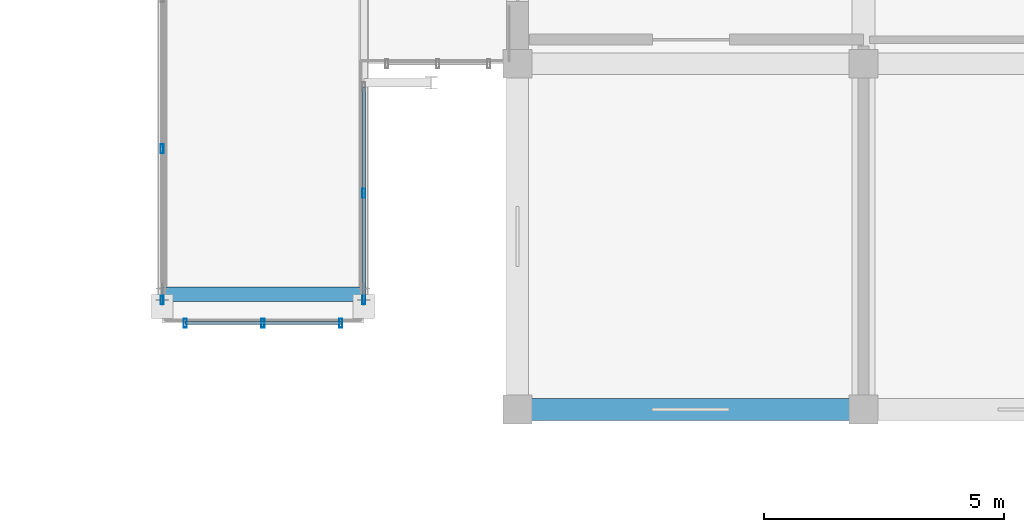
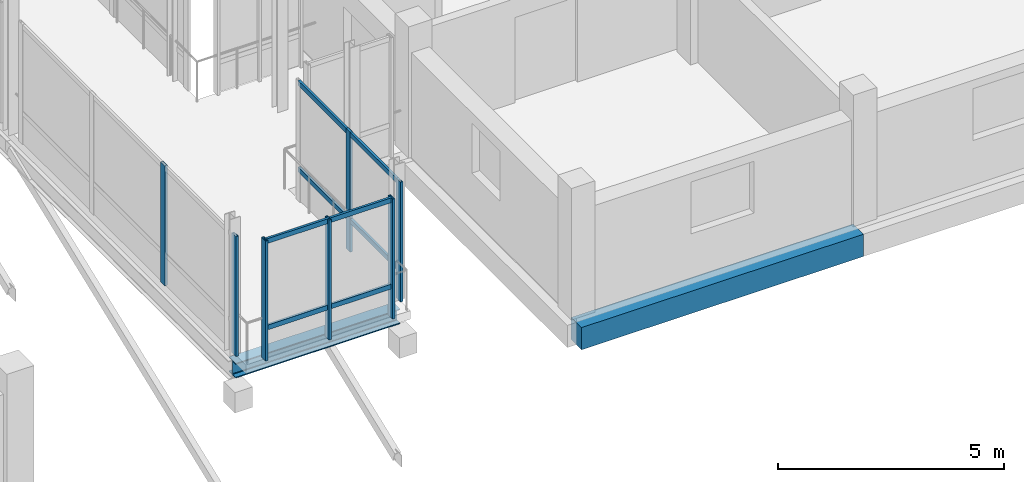
# One storey, part 17 of 128: 11 members, 2 beams, 3 elements without a shape of their own.
"""IFC4 building model written with IfcOpenShell, lengths in metres."""

from ifc_helpers import new_model, si_unit, direction, frame, origin, origin_2d, place, context, subcontext, project, spatial, rectangle, hollow_rectangle, i_section, extrude, material, material_profile, profile_set, type_object, element, aggregate, save


model = new_model("IFC4")

# Units and contexts
model_context = context("Model", 3, precision=1e-05, world=origin(), true_north=direction((0.0, 1.0)))
body_context = subcontext(model_context, "Body", "Model", "MODEL_VIEW")
ifc_project = project(units=[si_unit("LENGTHUNIT", "METRE"), si_unit("AREAUNIT", "SQUARE_METRE"), si_unit("VOLUMEUNIT", "CUBIC_METRE"), si_unit("PLANEANGLEUNIT", "RADIAN"), si_unit("MASSUNIT", "GRAM", prefix="KILO")], contexts=[model_context])

# Site, building, storey
site_placement = place(None, origin())
site = spatial("IfcSite", under=ifc_project, at=site_placement, CompositionType="ELEMENT")
building_placement = place(site_placement, origin())
building = spatial("IfcBuilding", under=site, at=building_placement, Name="Zornivar Specialist Clinic", CompositionType="ELEMENT")
storey_placement = place(building_placement, frame((0.0, 0.0, 4.5)))
storey = spatial("IfcBuildingStorey", under=building, at=storey_placement, Name="L01", CompositionType="ELEMENT", Elevation=4.5)

# Beams
ifc_material_1 = material(Name="Concrete C30/37", Category="concrete")
ifc_material_profile_1 = material_profile(ifc_material_1, rectangle(XDim=0.4599609375, YDim=0.60009765625, at=origin_2d()), Name="RC 460x600")
ifc_profile_set_1 = profile_set([ifc_material_profile_1], Name="Concrete C30/37")
beam_type_1 = type_object("IfcBeamType", Name="BM-RC-SPANDREL-460x600", PredefinedType="SPANDREL", material=ifc_profile_set_1)
beam_1_placement = place(storey_placement, frame((57.60009765625, 0.0, -0.64990234375), z_axis=(1.0, 0.0, 0.0), x_axis=(0.0, 1.0, 0.0)))
element("IfcBeam", 1, at=beam_1_placement, inside=storey, type_object=beam_type_1, Name="bm:V3:L01:x:0:0", PredefinedType="SPANDREL", context=body_context, shape_type="SweptSolid", body=[
    extrude(rectangle(XDim=0.4599609375, YDim=0.60009765625, at=origin_2d()), origin(), (0.0, 0.0, 1.0), 7.199951171875),
])
ifc_material_2 = material(Name="Steel S355J2", Category="steel")
ifc_material_profile_2 = material_profile(ifc_material_2, i_section(OverallWidth=0.300048828125, OverallDepth=0.39990234375, WebThickness=0.013427734375, FlangeThickness=0.02392578125, FilletRadius=0.027099609375, at=origin_2d()), Name="HEB 400")
ifc_profile_set_2 = profile_set([ifc_material_profile_2], Name="Steel S355J2")
beam_type_2 = type_object("IfcBeamType", Name="BM-STL-HEB400", PredefinedType="BEAM", material=ifc_profile_set_2)
beam_2_placement = place(storey_placement, frame((50.199951171875, 2.39990234375, -0.429931640625), z_axis=(1.0, 0.0, 0.0), x_axis=(0.0, 1.0, 0.0)))
element("IfcBeam", 2, at=beam_2_placement, inside=storey, type_object=beam_type_2, Name="bm:BR1:L01:t:24", PredefinedType="BEAM", context=body_context, shape_type="SweptSolid", body=[
    extrude(i_section(OverallWidth=0.300048828125, OverallDepth=0.39990234375, WebThickness=0.013427734375, FlangeThickness=0.02392578125, FilletRadius=0.027099609375, at=origin_2d()), origin(), (0.0, 0.0, 1.0), 4.199951171875),
])

# Curtain wall, members
ifc_material_3 = material(Name="Aluminium and Low-E Glass Curtain Wall", Category="aluminium")
curtain_wall_type = type_object("IfcCurtainWallType", Name="CW-BRIDGE-LINK", PredefinedType="NOTDEFINED", material=ifc_material_3)
curtain_wall_1_placement = place(storey_placement, origin())
curtain_wall_1 = element("IfcCurtainWall", 3, at=curtain_wall_1_placement, inside=storey, type_object=curtain_wall_type, Name="cw:BR1:L01:W:0", PredefinedType="NOTDEFINED")
ifc_material_4 = material(Name="Aluminium AW-6060", Category="aluminium")
ifc_material_profile_3 = material_profile(ifc_material_4, hollow_rectangle(XDim=0.06494140625, YDim=0.18505859375, WallThickness=0.00439453125, at=origin_2d()), Name="ALU 65x185x4.5")
ifc_profile_set_3 = profile_set([ifc_material_profile_3], Name="Aluminium AW-6060")
member_type_1 = type_object("IfcMemberType", Name="CWM-MUL-185", PredefinedType="MULLION", material=ifc_profile_set_3)
member_1_placement = place(storey_placement, frame((50.199951171875, 2.280029296875, 0.0), z_axis=(0.0, 0.0, 1.0), x_axis=(1.0, 0.0, 0.0)))
member_1 = element("IfcMember", 4, at=member_1_placement, type_object=member_type_1, Name="cw:BR1:L01:W:0:mul:0", PredefinedType="MULLION", context=body_context, shape_type="SweptSolid", body=[
    extrude(hollow_rectangle(XDim=0.06494140625, YDim=0.18505859375, WallThickness=0.00439453125, at=origin_2d()), origin(), (0.0, 0.0, 1.0), 3.239990234375),
])
member_2_placement = place(storey_placement, frame((50.199951171875, 5.427001953125, 0.0), z_axis=(0.0, 0.0, 1.0), x_axis=(1.0, 0.0, 0.0)))
member_2 = element("IfcMember", 5, at=member_2_placement, type_object=member_type_1, Name="cw:BR1:L01:W:0:mul:1", PredefinedType="MULLION", context=body_context, shape_type="SweptSolid", body=[
    extrude(hollow_rectangle(XDim=0.06494140625, YDim=0.18505859375, WallThickness=0.00439453125, at=origin_2d()), origin(), (0.0, 0.0, 1.0), 3.239990234375),
])
aggregate(curtain_wall_1, [member_1, member_2])

curtain_wall_2_placement = place(storey_placement, origin())
curtain_wall_2 = element("IfcCurtainWall", 6, at=curtain_wall_2_placement, inside=storey, type_object=curtain_wall_type, Name="cw:BR1:L01:E:0", PredefinedType="NOTDEFINED")
member_3_placement = place(storey_placement, frame((54.39990234375, 2.280029296875, 0.0), z_axis=(0.0, 0.0, 1.0), x_axis=(1.0, 0.0, 0.0)))
member_3 = element("IfcMember", 7, at=member_3_placement, type_object=member_type_1, Name="cw:BR1:L01:E:0:mul:0", PredefinedType="MULLION", context=body_context, shape_type="SweptSolid", body=[
    extrude(hollow_rectangle(XDim=0.06494140625, YDim=0.18505859375, WallThickness=0.00439453125, at=origin_2d()), origin(), (0.0, 0.0, 1.0), 3.239990234375),
])
member_4_placement = place(storey_placement, frame((54.39990234375, 4.5, 0.0), z_axis=(0.0, 0.0, 1.0), x_axis=(1.0, 0.0, 0.0)))
member_4 = element("IfcMember", 8, at=member_4_placement, type_object=member_type_1, Name="cw:BR1:L01:E:0:mul:1", PredefinedType="MULLION", context=body_context, shape_type="SweptSolid", body=[
    extrude(hollow_rectangle(XDim=0.06494140625, YDim=0.18505859375, WallThickness=0.00439453125, at=origin_2d()), origin(), (0.0, 0.0, 1.0), 3.239990234375),
])

curtain_wall_3_placement = place(storey_placement, origin())
curtain_wall_3 = element("IfcCurtainWall", 9, at=curtain_wall_3_placement, inside=storey, type_object=curtain_wall_type, Name="cw:BR1:L01:endS", PredefinedType="NOTDEFINED")
member_5_placement = place(storey_placement, frame((50.679931640625, 1.800048828125, 0.0), z_axis=(0.0, 0.0, 1.0), x_axis=(1.0, 0.0, 0.0)))
member_5 = element("IfcMember", 10, at=member_5_placement, type_object=member_type_1, Name="cw:BR1:L01:endS:mul:0", PredefinedType="MULLION", context=body_context, shape_type="SweptSolid", body=[
    extrude(hollow_rectangle(XDim=0.06494140625, YDim=0.18505859375, WallThickness=0.00439453125, at=origin_2d()), origin(), (0.0, 0.0, 1.0), 3.239990234375),
])
member_6_placement = place(storey_placement, frame((52.300048828125, 1.800048828125, 0.0), z_axis=(0.0, 0.0, 1.0), x_axis=(1.0, 0.0, 0.0)))
member_6 = element("IfcMember", 11, at=member_6_placement, type_object=member_type_1, Name="cw:BR1:L01:endS:mul:1", PredefinedType="MULLION", context=body_context, shape_type="SweptSolid", body=[
    extrude(hollow_rectangle(XDim=0.06494140625, YDim=0.18505859375, WallThickness=0.00439453125, at=origin_2d()), origin(), (0.0, 0.0, 1.0), 3.239990234375),
])
member_7_placement = place(storey_placement, frame((53.919921875, 1.800048828125, 0.0), z_axis=(0.0, 0.0, 1.0), x_axis=(1.0, 0.0, 0.0)))
member_7 = element("IfcMember", 12, at=member_7_placement, type_object=member_type_1, Name="cw:BR1:L01:endS:mul:2", PredefinedType="MULLION", context=body_context, shape_type="SweptSolid", body=[
    extrude(hollow_rectangle(XDim=0.06494140625, YDim=0.18505859375, WallThickness=0.00439453125, at=origin_2d()), origin(), (0.0, 0.0, 1.0), 3.239990234375),
])

# Member
ifc_material_5 = material(Name="Aluminium AW-6060", Category="aluminium")
ifc_material_profile_4 = material_profile(ifc_material_5, hollow_rectangle(XDim=0.06005859375, YDim=0.1298828125, WallThickness=0.00390625, at=origin_2d()), Name="ALU 60x130x4")
ifc_profile_set_4 = profile_set([ifc_material_profile_4], Name="Aluminium AW-6060")
member_type_2 = type_object("IfcMemberType", Name="CWM-TRN-130", PredefinedType="USERDEFINED", material=ifc_profile_set_4)
member_8_placement = place(storey_placement, frame((54.39990234375, 2.280029296875, 0.842041015625), z_axis=(0.0, 1.0, 0.0), x_axis=(-1.0, 0.0, 0.0)))
member_8 = element("IfcMember", 13, at=member_8_placement, type_object=member_type_2, Name="cw:BR1:L01:E:0:trn:0", ObjectType="TRANSOM", PredefinedType="USERDEFINED", context=body_context, shape_type="SweptSolid", body=[
    extrude(hollow_rectangle(XDim=0.06005859375, YDim=0.1298828125, WallThickness=0.00390625, at=origin_2d()), origin(), (0.0, 0.0, 1.0), 4.43994140625),
])

member_9_placement = place(storey_placement, frame((54.39990234375, 2.280029296875, 3.175048828125), z_axis=(0.0, 1.0, 0.0), x_axis=(-1.0, 0.0, 0.0)))
member_9 = element("IfcMember", 14, at=member_9_placement, type_object=member_type_2, Name="cw:BR1:L01:E:0:trn:1", ObjectType="TRANSOM", PredefinedType="USERDEFINED", context=body_context, shape_type="SweptSolid", body=[
    extrude(hollow_rectangle(XDim=0.06005859375, YDim=0.1298828125, WallThickness=0.00390625, at=origin_2d()), origin(), (0.0, 0.0, 1.0), 4.43994140625),
])

aggregate(curtain_wall_2, [member_3, member_4, member_8, member_9])

member_10_placement = place(storey_placement, frame((50.679931640625, 1.800048828125, 0.842041015625), z_axis=(1.0, 0.0, 0.0), x_axis=(0.0, 1.0, 0.0)))
member_10 = element("IfcMember", 15, at=member_10_placement, type_object=member_type_2, Name="cw:BR1:L01:endS:trn:0", ObjectType="TRANSOM", PredefinedType="USERDEFINED", context=body_context, shape_type="SweptSolid", body=[
    extrude(hollow_rectangle(XDim=0.06005859375, YDim=0.1298828125, WallThickness=0.00390625, at=origin_2d()), origin(), (0.0, 0.0, 1.0), 3.239990234375),
])

member_11_placement = place(storey_placement, frame((50.679931640625, 1.800048828125, 3.175048828125), z_axis=(1.0, 0.0, 0.0), x_axis=(0.0, 1.0, 0.0)))
member_11 = element("IfcMember", 16, at=member_11_placement, type_object=member_type_2, Name="cw:BR1:L01:endS:trn:1", ObjectType="TRANSOM", PredefinedType="USERDEFINED", context=body_context, shape_type="SweptSolid", body=[
    extrude(hollow_rectangle(XDim=0.06005859375, YDim=0.1298828125, WallThickness=0.00390625, at=origin_2d()), origin(), (0.0, 0.0, 1.0), 3.239990234375),
])

aggregate(curtain_wall_3, [member_5, member_6, member_7, member_10, member_11])

save(model, "model.ifc")
